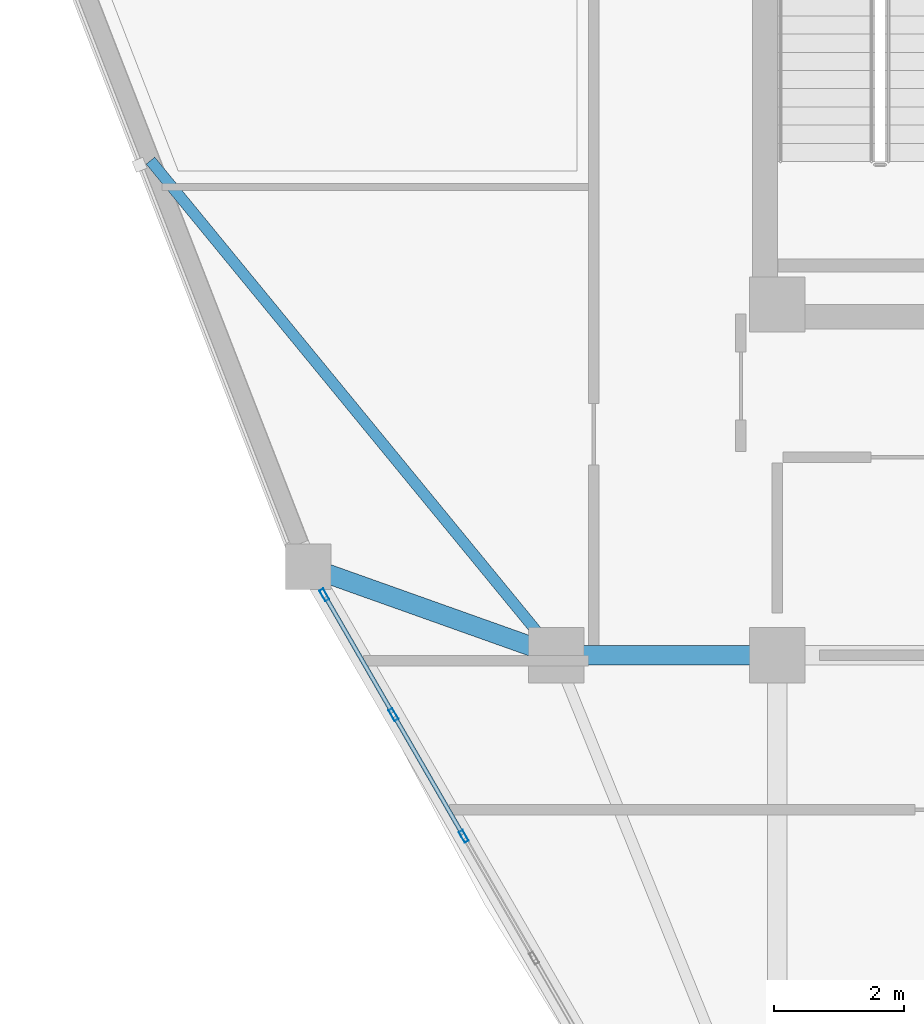
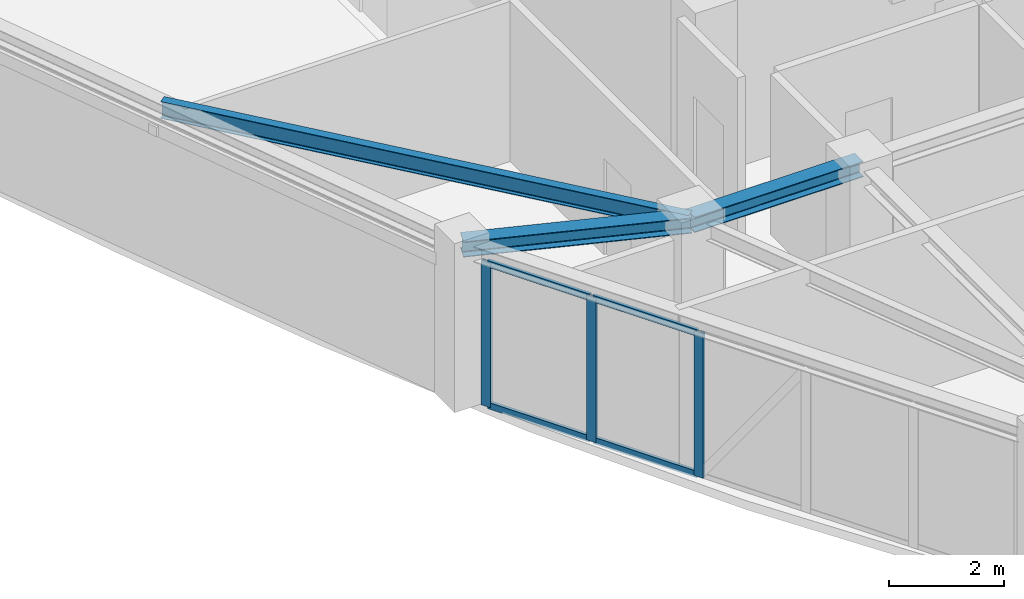
# One storey, part 5 of 15: 7 members, 3 beams, 1 element without a shape of its own.
"""IFC4 building model written with IfcOpenShell, lengths in metres."""

from ifc_helpers import new_model, si_unit, derived_unit, direction, frame, origin, origin_2d, place, context, subcontext, project, spatial, hollow_rectangle, i_section, extrude, source, transform, mapped, material, layer, layer_set, material_profile, profile_set, type_object, element, aggregate, save


model = new_model("IFC4")

# Units and contexts
model_context = context("Model", 3, precision=1e-05, world=origin(), true_north=direction((0.0, 1.0)))
body_context = subcontext(model_context, "Body", "Model", "MODEL_VIEW")
ifc_project = project(units=[si_unit("LENGTHUNIT", "METRE"), si_unit("AREAUNIT", "SQUARE_METRE"), si_unit("VOLUMEUNIT", "CUBIC_METRE"), si_unit("PLANEANGLEUNIT", "RADIAN"), si_unit("MASSUNIT", "GRAM", prefix="KILO"), derived_unit("THERMALTRANSMITTANCEUNIT", [(si_unit("POWERUNIT", "WATT"), 1), (si_unit("LENGTHUNIT", "METRE"), -2), (si_unit("THERMODYNAMICTEMPERATUREUNIT", "KELVIN"), -1)])], contexts=[model_context])

# Site, building, storey
site_placement = place(None, origin())
site = spatial("IfcSite", under=ifc_project, at=site_placement, CompositionType="ELEMENT")
building_placement = place(site_placement, origin())
building = spatial("IfcBuilding", under=site, at=building_placement, Name="Korsvarv Bourse and Concert Hall", CompositionType="ELEMENT")
storey_placement = place(building_placement, frame((0.0, 0.0, 264.60009765625)))
storey = spatial("IfcBuildingStorey", under=building, at=storey_placement, Name="L69", CompositionType="ELEMENT", Elevation=264.60009765625)

# Beams
ifc_material_1 = material(Name="Steel S355", Category="steel")
ifc_material_profile_1 = material_profile(ifc_material_1, i_section(OverallWidth=0.300048828125, OverallDepth=0.330078125, WebThickness=0.009521484375, FlangeThickness=0.0166015625, FilletRadius=0.02099609375, at=origin_2d()), Name="HEA 340")
ifc_profile_set_1 = profile_set([ifc_material_profile_1], Name="Steel S355")
beam_type_1 = type_object("IfcBeamType", Name="BM-HEA340", PredefinedType="BEAM", material=ifc_profile_set_1)
shared_shape_1 = source(origin(), body_context, "Body", "SweptSolid", [
    extrude(i_section(OverallWidth=0.300048828125, OverallDepth=0.330078125, WebThickness=0.009521484375, FlangeThickness=0.0166015625, FilletRadius=0.02099609375, at=origin_2d()), origin(), (0.0, 0.0, 1.0), 3.400146484375),
])
beam_1_placement = place(storey_placement, frame((24.199951171875, 32.39990234375, 3.244873046875), z_axis=(1.0, 0.0, 0.0), x_axis=(0.0, 1.0, 0.0)))
element("IfcBeam", 1, at=beam_1_placement, inside=storey, type_object=beam_type_1, Name="L69 beam B-12", PredefinedType="BEAM", context=body_context, shape_type="MappedRepresentation", body=[
    mapped(shared_shape_1, transform((0.0, 0.0, 0.0), scale=1.0)),
])
shared_shape_2 = source(origin(), body_context, "Body", "SweptSolid", [
    extrude(i_section(OverallWidth=0.300048828125, OverallDepth=0.330078125, WebThickness=0.009521484375, FlangeThickness=0.0166015625, FilletRadius=0.02099609375, at=origin_2d()), origin(), (0.0, 0.0, 1.0), 4.053955078125),
])
beam_2_placement = place(storey_placement, frame((20.380859375, 33.759765625, 3.244873046875), z_axis=(0.94206167273, -0.335439718539, 0.0), x_axis=(0.335439718539, 0.94206167273, 0.0)))
element("IfcBeam", 2, at=beam_2_placement, inside=storey, type_object=beam_type_1, Name="L69 beam B-12", PredefinedType="BEAM", context=body_context, shape_type="MappedRepresentation", body=[
    mapped(shared_shape_2, transform((0.0, 0.0, 0.0), scale=1.0)),
])
ifc_material_profile_2 = material_profile(ifc_material_1, i_section(OverallWidth=0.169921875, OverallDepth=0.360107421875, WebThickness=0.008056640625, FlangeThickness=0.0126953125, FilletRadius=0.01806640625, at=origin_2d()), Name="IPE 360")
ifc_profile_set_2 = profile_set([ifc_material_profile_2], Name="Steel S355")
beam_type_2 = type_object("IfcBeamType", Name="BM-IPE360", PredefinedType="JOIST", material=ifc_profile_set_2)
shared_shape_3 = source(origin(), body_context, "Body", "SweptSolid", [
    extrude(i_section(OverallWidth=0.169921875, OverallDepth=0.360107421875, WebThickness=0.008056640625, FlangeThickness=0.0126953125, FilletRadius=0.01806640625, at=origin_2d()), origin(), (0.0, 0.0, 1.0), 9.84765625),
])
beam_3_placement = place(storey_placement, frame((17.953369140625, 40.012939453125, 3.22998046875), z_axis=(0.634315851859, -0.773073993923, 0.0), x_axis=(0.773073993923, 0.634315851859, 0.0)))
element("IfcBeam", 3, at=beam_3_placement, inside=storey, type_object=beam_type_2, Name="L69 beam J-06", PredefinedType="JOIST", context=body_context, shape_type="MappedRepresentation", body=[
    mapped(shared_shape_3, transform((0.0, 0.0, 0.0), scale=1.0)),
])

# Curtain wall, members
ifc_material_2 = material(Name="Anodised aluminium and triple low-E glazing", Category="glass")
ifc_layer = layer(ifc_material_2, 0.199951171875)
ifc_layer_set = layer_set([ifc_layer], Name="Anodised aluminium and triple low-E glazing")
curtain_wall_type = type_object("IfcCurtainWallType", Name="CW-SYS-3", PredefinedType="NOTDEFINED", material=ifc_layer_set)
curtain_wall_placement = place(storey_placement, origin())
curtain_wall = element("IfcCurtainWall", 4, at=curtain_wall_placement, inside=storey, type_object=curtain_wall_type, Name="L69 CW3 curtain wall CW-L69-F07", PredefinedType="NOTDEFINED")
ifc_material_3 = material(Name="Extruded aluminium EN AW-6063 T66", Category="aluminium")
ifc_material_profile_3 = material_profile(ifc_material_3, hollow_rectangle(XDim=0.070068359375, YDim=0.18994140625, WallThickness=0.0048828125, at=origin_2d()), Name="ALU-M 70x190")
ifc_profile_set_3 = profile_set([ifc_material_profile_3], Name="Extruded aluminium EN AW-6063 T66")
member_type_1 = type_object("IfcMemberType", Name="CWM-190", PredefinedType="MULLION", material=ifc_profile_set_3)
shared_shape_4 = source(origin(), body_context, "Body", "SweptSolid", [
    extrude(hollow_rectangle(XDim=0.070068359375, YDim=0.18994140625, WallThickness=0.0048828125, at=origin_2d()), origin(), (0.0, 0.0, 1.0), 3.079833984375),
])
member_1_placement = place(storey_placement, frame((20.629150390625, 33.32958984375, 0.0), z_axis=(0.0, 0.0, 1.0), x_axis=(0.866022834448, 0.500004450195, 0.0)))
member_1 = element("IfcMember", 5, at=member_1_placement, type_object=member_type_1, Name="CW3 mullion 1", PredefinedType="MULLION", context=body_context, shape_type="MappedRepresentation", body=[
    mapped(shared_shape_4, transform((0.0, 0.0, 0.0), scale=1.0)),
])
member_2_placement = place(storey_placement, frame((21.693359375, 31.486572265625, 0.0), z_axis=(0.0, 0.0, 1.0), x_axis=(0.866022834448, 0.500004450195, 0.0)))
member_2 = element("IfcMember", 6, at=member_2_placement, type_object=member_type_1, Name="CW3 mullion 2", PredefinedType="MULLION", context=body_context, shape_type="MappedRepresentation", body=[
    mapped(shared_shape_4, transform((0.0, 0.0, 0.0), scale=1.0)),
])
member_3_placement = place(storey_placement, frame((22.774658203125, 29.61328125, 0.0), z_axis=(0.0, 0.0, 1.0), x_axis=(0.866022834448, 0.500004450195, 0.0)))
member_3 = element("IfcMember", 7, at=member_3_placement, type_object=member_type_1, Name="CW3 mullion 3", PredefinedType="MULLION", context=body_context, shape_type="MappedRepresentation", body=[
    mapped(shared_shape_4, transform((0.0, 0.0, 0.0), scale=1.0)),
])
ifc_material_profile_4 = material_profile(ifc_material_3, hollow_rectangle(XDim=0.06494140625, YDim=0.139892578125, WallThickness=0.00390625, at=origin_2d()), Name="ALU-T 65x140")
ifc_profile_set_4 = profile_set([ifc_material_profile_4], Name="Extruded aluminium EN AW-6063 T66")
member_type_2 = type_object("IfcMemberType", Name="CWT-140", PredefinedType="USERDEFINED", material=ifc_profile_set_4)
shared_shape_5 = source(origin(), body_context, "Body", "SweptSolid", [
    extrude(hollow_rectangle(XDim=0.06494140625, YDim=0.139892578125, WallThickness=0.00390625, at=origin_2d()), origin(), (0.0, 0.0, 1.0), 2.057861328125),
])
member_4_placement = place(storey_placement, frame((20.646728515625, 33.299072265625, 0.032470703125), z_axis=(0.500030520673, -0.866007781949, 0.0), x_axis=(0.866007781949, 0.500030520673, 0.0)))
member_4 = element("IfcMember", 8, at=member_4_placement, type_object=member_type_2, Name="CW3 transom 1.1", ObjectType="TRANSOM", PredefinedType="USERDEFINED", context=body_context, shape_type="MappedRepresentation", body=[
    mapped(shared_shape_5, transform((0.0, 0.0, 0.0), scale=1.0)),
])
member_5_placement = place(storey_placement, frame((20.646728515625, 33.299072265625, 3.04736328125), z_axis=(0.500030520673, -0.866007781949, 0.0), x_axis=(0.866007781949, 0.500030520673, 0.0)))
member_5 = element("IfcMember", 9, at=member_5_placement, type_object=member_type_2, Name="CW3 transom 1.2", ObjectType="TRANSOM", PredefinedType="USERDEFINED", context=body_context, shape_type="MappedRepresentation", body=[
    mapped(shared_shape_5, transform((0.0, 0.0, 0.0), scale=1.0)),
])
shared_shape_6 = source(origin(), body_context, "Body", "SweptSolid", [
    extrude(hollow_rectangle(XDim=0.06494140625, YDim=0.139892578125, WallThickness=0.00390625, at=origin_2d()), origin(), (0.0, 0.0, 1.0), 2.09326171875),
])
member_6_placement = place(storey_placement, frame((21.710693359375, 31.456298828125, 0.032470703125), z_axis=(0.5000152428, -0.866016603171, 0.0), x_axis=(0.866016603171, 0.5000152428, 0.0)))
member_6 = element("IfcMember", 10, at=member_6_placement, type_object=member_type_2, Name="CW3 transom 2.1", ObjectType="TRANSOM", PredefinedType="USERDEFINED", context=body_context, shape_type="MappedRepresentation", body=[
    mapped(shared_shape_6, transform((0.0, 0.0, 0.0), scale=1.0)),
])
member_7_placement = place(storey_placement, frame((21.710693359375, 31.456298828125, 3.04736328125), z_axis=(0.5000152428, -0.866016603171, 0.0), x_axis=(0.866016603171, 0.5000152428, 0.0)))
member_7 = element("IfcMember", 11, at=member_7_placement, type_object=member_type_2, Name="CW3 transom 2.2", ObjectType="TRANSOM", PredefinedType="USERDEFINED", context=body_context, shape_type="MappedRepresentation", body=[
    mapped(shared_shape_6, transform((0.0, 0.0, 0.0), scale=1.0)),
])
aggregate(curtain_wall, [member_1, member_2, member_3, member_4, member_5, member_6, member_7])

save(model, "model.ifc")
